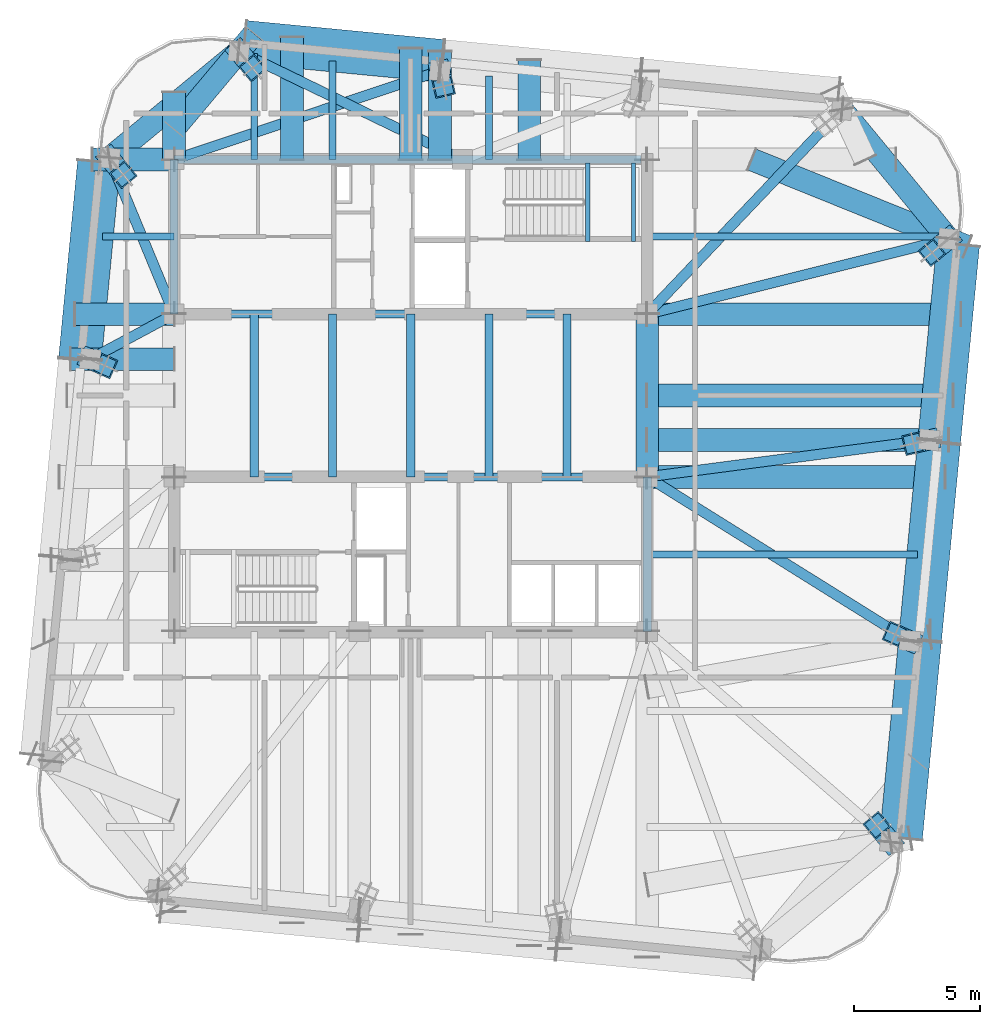
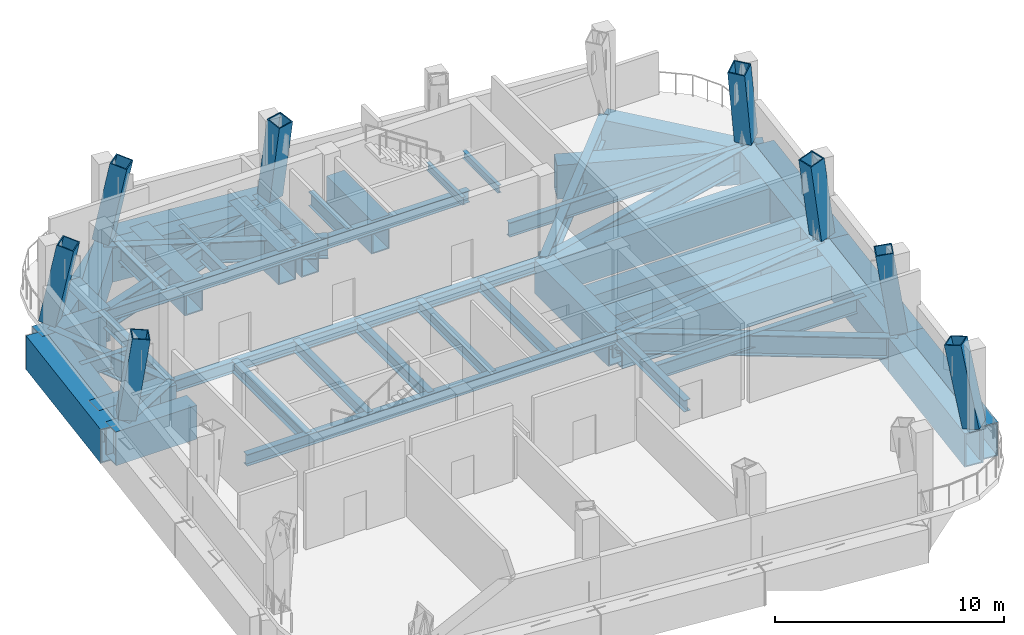
# One storey, part 2 of 9: 53 beams, 8 members.
"""IFC4 building model written with IfcOpenShell, lengths in metres."""

from ifc_helpers import new_model, si_unit, direction, frame, origin, origin_2d, place, context, subcontext, project, spatial, hollow_rectangle, i_section, extrude, material, material_profile, profile_set, type_object, element, save


model = new_model("IFC4")

# Units and contexts
model_context = context("Model", 3, precision=1e-05, world=origin(), true_north=direction((0.0, 1.0)))
body_context = subcontext(model_context, "Body", "Model", "MODEL_VIEW")
ifc_project = project(units=[si_unit("LENGTHUNIT", "METRE"), si_unit("AREAUNIT", "SQUARE_METRE"), si_unit("VOLUMEUNIT", "CUBIC_METRE"), si_unit("PLANEANGLEUNIT", "RADIAN"), si_unit("MASSUNIT", "GRAM", prefix="KILO")], contexts=[model_context])

# Site, building, storey
site_placement = place(None, origin())
site = spatial("IfcSite", under=ifc_project, at=site_placement, CompositionType="ELEMENT")
building_placement = place(site_placement, origin())
building = spatial("IfcBuilding", under=site, at=building_placement, Name="Qhalaya Broadcast Tower", CompositionType="ELEMENT")
storey_placement = place(building_placement, frame((0.0, 0.0, 284.89990234375)))
storey = spatial("IfcBuildingStorey", under=building, at=storey_placement, Name="L84", CompositionType="ELEMENT", Elevation=284.89990234375)

# Beams
ifc_material_1 = material(Name="Structural Steel ASTM A572 Grade 50", Category="steel")
ifc_material_profile_1 = material_profile(ifc_material_1, hollow_rectangle(XDim=0.89990234375, YDim=1.800048828125, WallThickness=0.06005859375, at=origin_2d()), Name="BOX 900x1800x60")
ifc_profile_set_1 = profile_set([ifc_material_profile_1], Name="Structural Steel ASTM A572 Grade 50")
beam_type_1 = type_object("IfcBeamType", Name="Block Cantilever Transfer Box Girder TG1", PredefinedType="USERDEFINED", material=ifc_profile_set_1)
beam_1_placement = place(storey_placement, frame((19.012939453125, -17.08544921875, -1.179931640625), z_axis=(0.095856036684, 0.995395208061, 0.0), x_axis=(-0.995395208061, 0.095856036684, 0.0)))
element("IfcBeam", 1, at=beam_1_placement, inside=storey, type_object=beam_type_1, Name="L84 TG1 L84-SPR-05", ObjectType="GIRDER", PredefinedType="USERDEFINED", context=body_context, shape_type="SweptSolid", body=[
    extrude(hollow_rectangle(XDim=0.89990234375, YDim=1.800048828125, WallThickness=0.06005859375, at=origin_2d()), origin(), (0.0, 0.0, 1.0), 8.0),
])
beam_2_placement = place(storey_placement, frame((19.77978515625, -9.122314453125, -1.179931640625), z_axis=(0.095822888434, 0.995398399663, 0.0), x_axis=(-0.995398399663, 0.095822888434, 0.0)))
element("IfcBeam", 2, at=beam_2_placement, inside=storey, type_object=beam_type_1, Name="L84 TG1 L84-SPR-06", ObjectType="GIRDER", PredefinedType="USERDEFINED", context=body_context, shape_type="SweptSolid", body=[
    extrude(hollow_rectangle(XDim=0.89990234375, YDim=1.800048828125, WallThickness=0.06005859375, at=origin_2d()), origin(), (0.0, 0.0, 1.0), 8.000244140625),
])
beam_3_placement = place(storey_placement, frame((20.54638671875, -1.158935546875, -1.179931640625), z_axis=(0.095856036684, 0.995395208061, 0.0), x_axis=(-0.995395208061, 0.095856036684, 0.0)))
element("IfcBeam", 3, at=beam_3_placement, inside=storey, type_object=beam_type_1, Name="L84 TG1 L84-SPR-07", ObjectType="GIRDER", PredefinedType="USERDEFINED", context=body_context, shape_type="SweptSolid", body=[
    extrude(hollow_rectangle(XDim=0.89990234375, YDim=1.800048828125, WallThickness=0.06005859375, at=origin_2d()), origin(), (0.0, 0.0, 1.0), 8.0),
])
beam_4_placement = place(storey_placement, frame((21.313232421875, 6.80419921875, -1.179931640625), z_axis=(-0.636063812645, 0.771636459898, 0.0), x_axis=(-0.771636459898, -0.636063812645, 0.0)))
element("IfcBeam", 4, at=beam_4_placement, inside=storey, type_object=beam_type_1, Name="L84 TG1 L84-SPR-08", ObjectType="GIRDER", PredefinedType="USERDEFINED", context=body_context, shape_type="SweptSolid", body=[
    extrude(hollow_rectangle(XDim=0.89990234375, YDim=1.800048828125, WallThickness=0.06005859375, at=origin_2d()), origin(), (0.0, 0.0, 1.0), 6.646728515625),
])
beam_5_placement = place(storey_placement, frame((1.158935546875, 13.466552734375, -1.179931640625), z_axis=(-0.995395208061, 0.095856036684, 0.0), x_axis=(-0.095856036684, -0.995395208061, 0.0)))
element("IfcBeam", 5, at=beam_5_placement, inside=storey, type_object=beam_type_1, Name="L84 TG1 L84-SPR-11", ObjectType="GIRDER", PredefinedType="USERDEFINED", context=body_context, shape_type="SweptSolid", body=[
    extrude(hollow_rectangle(XDim=0.89990234375, YDim=1.800048828125, WallThickness=0.06005859375, at=origin_2d()), origin(), (0.0, 0.0, 1.0), 8.0),
])
beam_6_placement = place(storey_placement, frame((-6.80419921875, 14.2333984375, -1.179931640625), z_axis=(-0.771618432262, -0.636085682117, 0.0), x_axis=(0.636085682117, -0.771618432262, 0.0)))
element("IfcBeam", 6, at=beam_6_placement, inside=storey, type_object=beam_type_1, Name="L84 TG1 L84-SPR-12", ObjectType="GIRDER", PredefinedType="USERDEFINED", context=body_context, shape_type="SweptSolid", body=[
    extrude(hollow_rectangle(XDim=0.89990234375, YDim=1.800048828125, WallThickness=0.06005859375, at=origin_2d()), origin(), (0.0, 0.0, 1.0), 6.64697265625),
])
beam_7_placement = place(storey_placement, frame((-11.93310546875, 10.00537109375, -1.179931640625), z_axis=(-0.095825799278, -0.995398119444, 0.0), x_axis=(0.995398119444, -0.095825799278, 0.0)))
element("IfcBeam", 7, at=beam_7_placement, inside=storey, type_object=beam_type_1, Name="L84 TG1 L84-SPR-13", ObjectType="GIRDER", PredefinedType="USERDEFINED", context=body_context, shape_type="SweptSolid", body=[
    extrude(hollow_rectangle(XDim=0.89990234375, YDim=1.800048828125, WallThickness=0.06005859375, at=origin_2d()), origin(), (0.0, 0.0, 1.0), 8.0),
])
beam_8_placement = place(storey_placement, frame((19.82861328125, -16.962890625, -1.179931640625), z_axis=(0.095837184179, 0.995397023367, 0.0), x_axis=(-0.995397023367, 0.095837184179, 0.0)))
element("IfcBeam", 8, at=beam_8_placement, inside=storey, type_object=beam_type_1, Name="L84 TG1 L84-TGL-05", ObjectType="GIRDER", PredefinedType="USERDEFINED", context=body_context, shape_type="SweptSolid", body=[
    extrude(hollow_rectangle(XDim=0.89990234375, YDim=1.800048828125, WallThickness=0.06005859375, at=origin_2d()), origin(), (0.0, 0.0, 1.0), 7.866455078125),
])
beam_9_placement = place(storey_placement, frame((20.58251953125, -9.132568359375, -1.179931640625), z_axis=(0.095834223619, 0.995397308407, 0.0), x_axis=(-0.995397308407, 0.095834223619, 0.0)))
element("IfcBeam", 9, at=beam_9_placement, inside=storey, type_object=beam_type_1, Name="L84 TG1 L84-TGL-06", ObjectType="GIRDER", PredefinedType="USERDEFINED", context=body_context, shape_type="SweptSolid", body=[
    extrude(hollow_rectangle(XDim=0.89990234375, YDim=1.800048828125, WallThickness=0.06005859375, at=origin_2d()), origin(), (0.0, 0.0, 1.0), 7.86669921875),
])
for number, where, z_axis, x_axis, name in (
    (10, (21.33642578125, -1.302001953125, -1.179931640625), (0.095837184179, 0.995397023367, 0.0), (-0.995397023367, 0.095837184179, 0.0), "L84 TG1 L84-TGL-07"),
    (11, (1.302001953125, 14.25634765625, -1.179931640625), (-0.995394062251, 0.095867934346, 0.0), (-0.095867934346, -0.995394062251, 0.0), "L84 TG1 L84-TGL-11"),
):
    element("IfcBeam", number, at=place(storey_placement, frame(where, z_axis=z_axis, x_axis=x_axis)), inside=storey, type_object=beam_type_1, Name=name, ObjectType="GIRDER", PredefinedType="USERDEFINED", context=body_context, shape_type="SweptSolid", body=[
        extrude(hollow_rectangle(XDim=0.89990234375, YDim=1.800048828125, WallThickness=0.06005859375, at=origin_2d()), origin(), (0.0, 0.0, 1.0), 7.866455078125),
    ])
beam_10_placement = place(storey_placement, frame((-12.74853515625, 9.883056640625, -1.179931640625), z_axis=(-0.095834223619, -0.995397308407, 0.0), x_axis=(0.995397308407, -0.095834223619, 0.0)))
element("IfcBeam", 12, at=beam_10_placement, inside=storey, type_object=beam_type_1, Name="L84 TG1 L84-TGL-13", ObjectType="GIRDER", PredefinedType="USERDEFINED", context=body_context, shape_type="SweptSolid", body=[
    extrude(hollow_rectangle(XDim=0.89990234375, YDim=1.800048828125, WallThickness=0.06005859375, at=origin_2d()), origin(), (0.0, 0.0, 1.0), 7.86669921875),
])
beam_11_placement = place(storey_placement, frame((-9.375, 9.949951171875, -1.179931640625), z_axis=(0.0, 1.0, 0.0), x_axis=(-1.0, 0.0, 0.0)))
element("IfcBeam", 13, at=beam_11_placement, inside=storey, type_object=beam_type_1, Name="L84 TG1 L84-TGINW-1", ObjectType="GIRDER", PredefinedType="USERDEFINED", context=body_context, shape_type="SweptSolid", body=[
    extrude(hollow_rectangle(XDim=0.89990234375, YDim=1.800048828125, WallThickness=0.06005859375, at=origin_2d()), origin(), (0.0, 0.0, 1.0), 2.662109375),
])
beam_12_placement = place(storey_placement, frame((0.0, 9.949951171875, -1.179931640625), z_axis=(0.0, 1.0, 0.0), x_axis=(-1.0, 0.0, 0.0)))
element("IfcBeam", 14, at=beam_12_placement, inside=storey, type_object=beam_type_1, Name="L84 TG1 L84-TGIMN-1", ObjectType="GIRDER", PredefinedType="USERDEFINED", context=body_context, shape_type="SweptSolid", body=[
    extrude(hollow_rectangle(XDim=0.89990234375, YDim=1.800048828125, WallThickness=0.06005859375, at=origin_2d()), origin(), (0.0, 0.0, 1.0), 4.3916015625),
])
beam_13_placement = place(storey_placement, frame((-4.699951171875, 9.949951171875, -1.179931640625), z_axis=(0.0, 1.0, 0.0), x_axis=(-1.0, 0.0, 0.0)))
element("IfcBeam", 15, at=beam_13_placement, inside=storey, type_object=beam_type_1, Name="L84 TG1 L84-TGIMNW-1", ObjectType="GIRDER", PredefinedType="USERDEFINED", context=body_context, shape_type="SweptSolid", body=[
    extrude(hollow_rectangle(XDim=0.89990234375, YDim=1.800048828125, WallThickness=0.06005859375, at=origin_2d()), origin(), (0.0, 0.0, 1.0), 4.84423828125),
])
beam_14_placement = place(storey_placement, frame((4.699951171875, 9.949951171875, -1.179931640625), z_axis=(0.0, 1.0, 0.0), x_axis=(-1.0, 0.0, 0.0)))
element("IfcBeam", 16, at=beam_14_placement, inside=storey, type_object=beam_type_1, Name="L84 TG1 L84-TGIMNE-1", ObjectType="GIRDER", PredefinedType="USERDEFINED", context=body_context, shape_type="SweptSolid", body=[
    extrude(hollow_rectangle(XDim=0.89990234375, YDim=1.800048828125, WallThickness=0.06005859375, at=origin_2d()), origin(), (0.0, 0.0, 1.0), 3.93896484375),
])
beam_15_placement = place(storey_placement, frame((9.375, 0.60009765625, -1.179931640625), z_axis=(1.0, 0.0, 0.0), x_axis=(0.0, 1.0, 0.0)))
element("IfcBeam", 17, at=beam_15_placement, inside=storey, type_object=beam_type_1, Name="L84 TG1 L84-TGIYE-1", ObjectType="GIRDER", PredefinedType="USERDEFINED", context=body_context, shape_type="SweptSolid", body=[
    extrude(hollow_rectangle(XDim=0.89990234375, YDim=1.800048828125, WallThickness=0.06005859375, at=origin_2d()), origin(), (0.0, 0.0, 1.0), 12.1044921875),
])
beam_16_placement = place(storey_placement, frame((9.375, -2.625, -1.179931640625), z_axis=(0.0, 1.0, 0.0), x_axis=(-1.0, 0.0, 0.0)))
element("IfcBeam", 18, at=beam_16_placement, inside=storey, type_object=beam_type_1, Name="L84 TG1 L84-TGIME-1", ObjectType="GIRDER", PredefinedType="USERDEFINED", context=body_context, shape_type="SweptSolid", body=[
    extrude(hollow_rectangle(XDim=0.89990234375, YDim=1.800048828125, WallThickness=0.06005859375, at=origin_2d()), origin(), (0.0, 0.0, 1.0), 6.449951171875),
])
beam_17_placement = place(storey_placement, frame((9.375, -2.625, -1.179931640625), z_axis=(1.0, 0.0, 0.0), x_axis=(0.0, 1.0, 0.0)))
element("IfcBeam", 19, at=beam_17_placement, inside=storey, type_object=beam_type_1, Name="L84 TG1 L84-TGIY2E-1", ObjectType="GIRDER", PredefinedType="USERDEFINED", context=body_context, shape_type="SweptSolid", body=[
    extrude(hollow_rectangle(XDim=0.89990234375, YDim=1.800048828125, WallThickness=0.06005859375, at=origin_2d()), origin(), (0.0, 0.0, 1.0), 11.793701171875),
])
beam_18_placement = place(storey_placement, frame((-13.29150390625, 3.824951171875, -1.179931640625), z_axis=(1.0, 0.0, 0.0), x_axis=(0.0, 1.0, 0.0)))
element("IfcBeam", 20, at=beam_18_placement, inside=storey, type_object=beam_type_1, Name="L84 TG1 L84-TGIY3W-1", ObjectType="GIRDER", PredefinedType="USERDEFINED", context=body_context, shape_type="SweptSolid", body=[
    extrude(hollow_rectangle(XDim=0.89990234375, YDim=1.800048828125, WallThickness=0.06005859375, at=origin_2d()), origin(), (0.0, 0.0, 1.0), 3.91650390625),
])
beam_19_placement = place(storey_placement, frame((9.375, 3.824951171875, -1.179931640625), z_axis=(1.0, 0.0, 0.0), x_axis=(0.0, 1.0, 0.0)))
element("IfcBeam", 21, at=beam_19_placement, inside=storey, type_object=beam_type_1, Name="L84 TG1 L84-TGIY3E-1", ObjectType="GIRDER", PredefinedType="USERDEFINED", context=body_context, shape_type="SweptSolid", body=[
    extrude(hollow_rectangle(XDim=0.89990234375, YDim=1.800048828125, WallThickness=0.06005859375, at=origin_2d()), origin(), (0.0, 0.0, 1.0), 12.414794921875),
])
beam_20_placement = place(storey_placement, frame((-12.604248046875, 9.949951171875, -1.179931640625), z_axis=(1.0, 0.0, 0.0), x_axis=(0.0, 1.0, 0.0)))
element("IfcBeam", 22, at=beam_20_placement, inside=storey, type_object=beam_type_1, Name="L84 TG1 L84-TGIY4W-1", ObjectType="GIRDER", PredefinedType="USERDEFINED", context=body_context, shape_type="SweptSolid", body=[
    extrude(hollow_rectangle(XDim=0.89990234375, YDim=1.800048828125, WallThickness=0.06005859375, at=origin_2d()), origin(), (0.0, 0.0, 1.0), 3.229248046875),
])
beam_21_placement = place(storey_placement, frame((9.375, -1.158935546875, -1.179931640625), z_axis=(1.0, 0.0, 0.0), x_axis=(0.0, 1.0, 0.0)))
element("IfcBeam", 23, at=beam_21_placement, inside=storey, type_object=beam_type_1, Name="L84 Spanning Transfer Box Girder 07", ObjectType="GIRDER", PredefinedType="USERDEFINED", context=body_context, shape_type="SweptSolid", body=[
    extrude(hollow_rectangle(XDim=0.89990234375, YDim=1.800048828125, WallThickness=0.06005859375, at=origin_2d()), origin(), (0.0, 0.0, 1.0), 11.934814453125),
])
beam_22_placement = place(storey_placement, frame((13.52685546875, 9.949951171875, -1.179931640625), z_axis=(0.927181339, -0.374612819602, 0.0), x_axis=(0.374612819602, 0.927181339, 0.0)))
element("IfcBeam", 24, at=beam_22_placement, inside=storey, type_object=beam_type_1, Name="L84 Spanning Transfer Box Girder 08", ObjectType="GIRDER", PredefinedType="USERDEFINED", context=body_context, shape_type="SweptSolid", body=[
    extrude(hollow_rectangle(XDim=0.89990234375, YDim=1.800048828125, WallThickness=0.06005859375, at=origin_2d()), origin(), (0.0, 0.0, 1.0), 9.1904296875),
])
beam_23_placement = place(storey_placement, frame((1.158935546875, 9.949951171875, -1.179931640625), z_axis=(0.0, 1.0, 0.0), x_axis=(-1.0, 0.0, 0.0)))
element("IfcBeam", 25, at=beam_23_placement, inside=storey, type_object=beam_type_1, Name="L84 Spanning Transfer Box Girder 11", ObjectType="GIRDER", PredefinedType="USERDEFINED", context=body_context, shape_type="SweptSolid", body=[
    extrude(hollow_rectangle(XDim=0.89990234375, YDim=1.800048828125, WallThickness=0.06005859375, at=origin_2d()), origin(), (0.0, 0.0, 1.0), 4.280029296875),
])
beam_24_placement = place(storey_placement, frame((-9.375, 11.16943359375, -1.179931640625), z_axis=(0.642781333555, 0.766049709375, 0.0), x_axis=(-0.766049709375, 0.642781333555, 0.0)))
element("IfcBeam", 26, at=beam_24_placement, inside=storey, type_object=beam_type_1, Name="L84 Spanning Transfer Box Girder 12", ObjectType="GIRDER", PredefinedType="USERDEFINED", context=body_context, shape_type="SweptSolid", body=[
    extrude(hollow_rectangle(XDim=0.89990234375, YDim=1.800048828125, WallThickness=0.06005859375, at=origin_2d()), origin(), (0.0, 0.0, 1.0), 4.921630859375),
])
beam_25_placement = place(storey_placement, frame((-13.463134765625, 2.042236328125, -1.179931640625), z_axis=(1.0, 0.0, 0.0), x_axis=(0.0, 1.0, 0.0)))
element("IfcBeam", 27, at=beam_25_placement, inside=storey, type_object=beam_type_1, Name="L84 Spanning Transfer Box Girder 14", ObjectType="GIRDER", PredefinedType="USERDEFINED", context=body_context, shape_type="SweptSolid", body=[
    extrude(hollow_rectangle(XDim=0.89990234375, YDim=1.800048828125, WallThickness=0.06005859375, at=origin_2d()), origin(), (0.0, 0.0, 1.0), 4.088134765625),
])
ifc_material_2 = material(Name="Structural Steel ASTM A992 Grade 50", Category="steel")
ifc_material_profile_2 = material_profile(ifc_material_2, i_section(OverallWidth=0.323974609375, OverallDepth=0.612060546875, WebThickness=0.0126953125, FlangeThickness=0.01904296875, at=origin_2d()), Name="W24X104")
ifc_profile_set_2 = profile_set([ifc_material_profile_2], Name="Structural Steel ASTM A992 Grade 50")
beam_type_2 = type_object("IfcBeamType", Name="Core Frame Tie Beam B04", PredefinedType="BEAM", material=ifc_profile_set_2)
beam_26_placement = place(storey_placement, frame((-9.375, 3.824951171875, -0.5859375), z_axis=(1.0, 0.0, 0.0), x_axis=(0.0, 1.0, 0.0)))
element("IfcBeam", 28, at=beam_26_placement, inside=storey, type_object=beam_type_2, Name="L84 B04 L84-CCN1", PredefinedType="BEAM", context=body_context, shape_type="SweptSolid", body=[
    extrude(i_section(OverallWidth=0.323974609375, OverallDepth=0.612060546875, WebThickness=0.0126953125, FlangeThickness=0.01904296875, at=origin_2d()), origin(), (0.0, 0.0, 1.0), 18.75),
])
beam_27_placement = place(storey_placement, frame((-9.375, 3.824951171875, -0.5859375), z_axis=(0.0, 1.0, 0.0), x_axis=(-1.0, 0.0, 0.0)))
element("IfcBeam", 29, at=beam_27_placement, inside=storey, type_object=beam_type_2, Name="L84 B04 L84-CCN2", PredefinedType="BEAM", context=body_context, shape_type="SweptSolid", body=[
    extrude(i_section(OverallWidth=0.323974609375, OverallDepth=0.612060546875, WebThickness=0.0126953125, FlangeThickness=0.01904296875, at=origin_2d()), origin(), (0.0, 0.0, 1.0), 6.125),
])
beam_28_placement = place(storey_placement, frame((-9.375, 9.949951171875, -0.5859375), z_axis=(1.0, 0.0, 0.0), x_axis=(0.0, 1.0, 0.0)))
element("IfcBeam", 30, at=beam_28_placement, inside=storey, type_object=beam_type_2, Name="L84 B04 L84-CCN3", PredefinedType="BEAM", context=body_context, shape_type="SweptSolid", body=[
    extrude(i_section(OverallWidth=0.323974609375, OverallDepth=0.612060546875, WebThickness=0.0126953125, FlangeThickness=0.01904296875, at=origin_2d()), origin(), (0.0, 0.0, 1.0), 18.4951171875),
])
beam_29_placement = place(storey_placement, frame((-9.375, -2.625, -0.5859375), z_axis=(1.0, 0.0, 0.0), x_axis=(0.0, 1.0, 0.0)))
element("IfcBeam", 31, at=beam_29_placement, inside=storey, type_object=beam_type_2, Name="L84 B04 L84-CCS1", PredefinedType="BEAM", context=body_context, shape_type="SweptSolid", body=[
    extrude(i_section(OverallWidth=0.323974609375, OverallDepth=0.612060546875, WebThickness=0.0126953125, FlangeThickness=0.01904296875, at=origin_2d()), origin(), (0.0, 0.0, 1.0), 18.75),
])
beam_30_placement = place(storey_placement, frame((9.375, -8.75, -0.5859375), z_axis=(0.0, 1.0, 0.0), x_axis=(-1.0, 0.0, 0.0)))
element("IfcBeam", 32, at=beam_30_placement, inside=storey, type_object=beam_type_2, Name="L84 B04 L84-CCS2", PredefinedType="BEAM", context=body_context, shape_type="SweptSolid", body=[
    extrude(i_section(OverallWidth=0.323974609375, OverallDepth=0.612060546875, WebThickness=0.0126953125, FlangeThickness=0.01904296875, at=origin_2d()), origin(), (0.0, 0.0, 1.0), 6.125),
])
for number, where, z_axis, x_axis, name in (
    (33, (-6.199951171875, -2.625, -0.5859375), (0.0, 1.0, 0.0), (-1.0, 0.0, 0.0), "L84 B04 L84-JC1-1"),
    (34, (-3.10009765625, -2.625, -0.5859375), (0.0, 1.0, 0.0), (-1.0, 0.0, 0.0), "L84 B04 L84-JC2-1"),
    (35, (0.0, -2.625, -0.5859375), (0.0, 1.0, 0.0), (-1.0, 0.0, 0.0), "L84 B04 L84-JC3-1"),
    (36, (3.10009765625, -2.625, -0.5859375), (0.0, 1.0, 0.0), (-1.0, 0.0, 0.0), "L84 B04 L84-JC4-1"),
    (37, (6.199951171875, -2.625, -0.5859375), (0.0, 1.0, 0.0), (-1.0, 0.0, 0.0), "L84 B04 L84-JC5-1"),
):
    element("IfcBeam", number, at=place(storey_placement, frame(where, z_axis=z_axis, x_axis=x_axis)), inside=storey, type_object=beam_type_2, Name=name, PredefinedType="BEAM", context=body_context, shape_type="SweptSolid", body=[
        extrude(i_section(OverallWidth=0.323974609375, OverallDepth=0.612060546875, WebThickness=0.0126953125, FlangeThickness=0.01904296875, at=origin_2d()), origin(), (0.0, 0.0, 1.0), 6.449951171875),
    ])
ifc_material_profile_3 = material_profile(ifc_material_2, i_section(OverallWidth=0.26708984375, OverallDepth=0.761962890625, WebThickness=0.014404296875, FlangeThickness=0.021484375, at=origin_2d()), Name="W30X116")
ifc_profile_set_3 = profile_set([ifc_material_profile_3], Name="Structural Steel ASTM A992 Grade 50")
beam_type_3 = type_object("IfcBeamType", Name="Plant & Server Floor Beam B02", PredefinedType="BEAM", material=ifc_profile_set_3)
beam_31_placement = place(storey_placement, frame((-6.199951171875, 9.949951171875, -0.660888671875), z_axis=(0.0, 1.0, 0.0), x_axis=(-1.0, 0.0, 0.0)))
element("IfcBeam", 38, at=beam_31_placement, inside=storey, type_object=beam_type_3, Name="L84 B02 L84-JNN1-1", PredefinedType="BEAM", context=body_context, shape_type="SweptSolid", body=[
    extrude(i_section(OverallWidth=0.26708984375, OverallDepth=0.761962890625, WebThickness=0.014404296875, FlangeThickness=0.021484375, at=origin_2d()), origin(), (0.0, 0.0, 1.0), 4.205078125),
])
beam_32_placement = place(storey_placement, frame((-3.10009765625, 9.949951171875, -0.660888671875), z_axis=(0.0, 1.0, 0.0), x_axis=(-1.0, 0.0, 0.0)))
element("IfcBeam", 39, at=beam_32_placement, inside=storey, type_object=beam_type_3, Name="L84 B02 L84-JNN2-1", PredefinedType="BEAM", context=body_context, shape_type="SweptSolid", body=[
    extrude(i_section(OverallWidth=0.26708984375, OverallDepth=0.761962890625, WebThickness=0.014404296875, FlangeThickness=0.021484375, at=origin_2d()), origin(), (0.0, 0.0, 1.0), 3.906494140625),
])
beam_33_placement = place(storey_placement, frame((3.10009765625, 9.949951171875, -0.660888671875), z_axis=(0.0, 1.0, 0.0), x_axis=(-1.0, 0.0, 0.0)))
element("IfcBeam", 40, at=beam_33_placement, inside=storey, type_object=beam_type_3, Name="L84 B02 L84-JNN4-1", PredefinedType="BEAM", context=body_context, shape_type="SweptSolid", body=[
    extrude(i_section(OverallWidth=0.26708984375, OverallDepth=0.761962890625, WebThickness=0.014404296875, FlangeThickness=0.021484375, at=origin_2d()), origin(), (0.0, 0.0, 1.0), 3.3095703125),
])
beam_34_placement = place(storey_placement, frame((9.375, -5.699951171875, -0.660888671875), z_axis=(1.0, 0.0, 0.0), x_axis=(0.0, 1.0, 0.0)))
element("IfcBeam", 41, at=beam_34_placement, inside=storey, type_object=beam_type_3, Name="L84 B02 L84-JWE3E-1", PredefinedType="BEAM", context=body_context, shape_type="SweptSolid", body=[
    extrude(i_section(OverallWidth=0.26708984375, OverallDepth=0.761962890625, WebThickness=0.014404296875, FlangeThickness=0.021484375, at=origin_2d()), origin(), (0.0, 0.0, 1.0), 10.714111328125),
])
beam_35_placement = place(storey_placement, frame((-12.2119140625, 6.89990234375, -0.660888671875), z_axis=(1.0, 0.0, 0.0), x_axis=(0.0, 1.0, 0.0)))
element("IfcBeam", 42, at=beam_35_placement, inside=storey, type_object=beam_type_3, Name="L84 B02 L84-JWE5W-1", PredefinedType="BEAM", context=body_context, shape_type="SweptSolid", body=[
    extrude(i_section(OverallWidth=0.26708984375, OverallDepth=0.761962890625, WebThickness=0.014404296875, FlangeThickness=0.021484375, at=origin_2d()), origin(), (0.0, 0.0, 1.0), 2.8369140625),
])
beam_36_placement = place(storey_placement, frame((9.375, 6.89990234375, -0.660888671875), z_axis=(1.0, 0.0, 0.0), x_axis=(0.0, 1.0, 0.0)))
element("IfcBeam", 43, at=beam_36_placement, inside=storey, type_object=beam_type_3, Name="L84 B02 L84-JWE5E-1", PredefinedType="BEAM", context=body_context, shape_type="SweptSolid", body=[
    extrude(i_section(OverallWidth=0.26708984375, OverallDepth=0.761962890625, WebThickness=0.014404296875, FlangeThickness=0.021484375, at=origin_2d()), origin(), (0.0, 0.0, 1.0), 11.833251953125),
])
ifc_material_profile_4 = material_profile(ifc_material_2, i_section(OverallWidth=0.404052734375, OverallDepth=1.117919921875, WebThickness=0.026123046875, FlangeThickness=0.044921875, at=origin_2d()), Name="W44X335")
ifc_profile_set_4 = profile_set([ifc_material_profile_4], Name="Structural Steel ASTM A992 Grade 50")
beam_type_4 = type_object("IfcBeamType", Name="Podium Long-Span Primary Girder PG1", PredefinedType="USERDEFINED", material=ifc_profile_set_4)
beam_37_placement = place(storey_placement, frame((9.375, -2.625, -0.8388671875), z_axis=(0.848206209022, -0.529666146715, 0.0), x_axis=(0.529666146715, 0.848206209022, 0.0)))
element("IfcBeam", 44, at=beam_37_placement, inside=storey, type_object=beam_type_4, Name="L84 Column-to-Column Moment Tie Girder 06-2", ObjectType="GIRDER", PredefinedType="USERDEFINED", context=body_context, shape_type="SweptSolid", body=[
    extrude(i_section(OverallWidth=0.404052734375, OverallDepth=1.117919921875, WebThickness=0.026123046875, FlangeThickness=0.044921875, at=origin_2d()), origin(), (0.0, 0.0, 1.0), 12.266845703125),
])
beam_38_placement = place(storey_placement, frame((9.375, -2.625, -0.8388671875), z_axis=(0.991498489645, 0.130118196388, 0.0), x_axis=(-0.130118196388, 0.991498489645, 0.0)))
element("IfcBeam", 45, at=beam_38_placement, inside=storey, type_object=beam_type_4, Name="L84 Column-to-Column Moment Tie Girder 07-1", ObjectType="GIRDER", PredefinedType="USERDEFINED", context=body_context, shape_type="SweptSolid", body=[
    extrude(i_section(OverallWidth=0.404052734375, OverallDepth=1.117919921875, WebThickness=0.026123046875, FlangeThickness=0.044921875, at=origin_2d()), origin(), (0.0, 0.0, 1.0), 11.26708984375),
])
beam_39_placement = place(storey_placement, frame((9.375, 3.824951171875, -0.8388671875), z_axis=(0.970243958425, 0.242129430554, 0.0), x_axis=(-0.242129430554, 0.970243958425, 0.0)))
element("IfcBeam", 46, at=beam_39_placement, inside=storey, type_object=beam_type_4, Name="L84 Column-to-Column Moment Tie Girder 08-1", ObjectType="GIRDER", PredefinedType="USERDEFINED", context=body_context, shape_type="SweptSolid", body=[
    extrude(i_section(OverallWidth=0.404052734375, OverallDepth=1.117919921875, WebThickness=0.026123046875, FlangeThickness=0.044921875, at=origin_2d()), origin(), (0.0, 0.0, 1.0), 12.304443359375),
])
beam_40_placement = place(storey_placement, frame((9.375, 3.824951171875, -0.8388671875), z_axis=(0.689111222644, 0.724655589109, 0.0), x_axis=(-0.724655589109, 0.689111222644, 0.0)))
element("IfcBeam", 47, at=beam_40_placement, inside=storey, type_object=beam_type_4, Name="L84 Column-to-Column Moment Tie Girder 09-1", ObjectType="GIRDER", PredefinedType="USERDEFINED", context=body_context, shape_type="SweptSolid", body=[
    extrude(i_section(OverallWidth=0.404052734375, OverallDepth=1.117919921875, WebThickness=0.026123046875, FlangeThickness=0.044921875, at=origin_2d()), origin(), (0.0, 0.0, 1.0), 11.18896484375),
])
beam_41_placement = place(storey_placement, frame((-9.375, 9.949951171875, -0.8388671875), z_axis=(0.948540305698, 0.316656420221, 0.0), x_axis=(-0.316656420221, 0.948540305698, 0.0)))
element("IfcBeam", 48, at=beam_41_placement, inside=storey, type_object=beam_type_4, Name="L84 Column-to-Column Moment Tie Girder 11-2", ObjectType="GIRDER", PredefinedType="USERDEFINED", context=body_context, shape_type="SweptSolid", body=[
    extrude(i_section(OverallWidth=0.404052734375, OverallDepth=1.117919921875, WebThickness=0.026123046875, FlangeThickness=0.044921875, at=origin_2d()), origin(), (0.0, 0.0, 1.0), 11.10546875),
])
beam_42_placement = place(storey_placement, frame((2.050048828125, 9.949951171875, -0.8388671875), z_axis=(-0.900193780737, 0.43548956029, 0.0), x_axis=(-0.43548956029, -0.900193780737, 0.0)))
element("IfcBeam", 49, at=beam_42_placement, inside=storey, type_object=beam_type_4, Name="L84 Column-to-Column Moment Tie Girder 12-2", ObjectType="GIRDER", PredefinedType="USERDEFINED", context=body_context, shape_type="SweptSolid", body=[
    extrude(i_section(OverallWidth=0.404052734375, OverallDepth=1.117919921875, WebThickness=0.026123046875, FlangeThickness=0.044921875, at=origin_2d()), origin(), (0.0, 0.0, 1.0), 9.8359375),
])
beam_43_placement = place(storey_placement, frame((-9.375, 3.824951171875, -0.8388671875), z_axis=(-0.382439908135, 0.923980365952, 0.0), x_axis=(-0.923980365952, -0.382439908135, 0.0)))
element("IfcBeam", 50, at=beam_43_placement, inside=storey, type_object=beam_type_4, Name="L84 Column-to-Column Moment Tie Girder 13-2", ObjectType="GIRDER", PredefinedType="USERDEFINED", context=body_context, shape_type="SweptSolid", body=[
    extrude(i_section(OverallWidth=0.404052734375, OverallDepth=1.117919921875, WebThickness=0.026123046875, FlangeThickness=0.044921875, at=origin_2d()), origin(), (0.0, 0.0, 1.0), 6.68896484375),
])
beam_44_placement = place(storey_placement, frame((-9.375, 3.824951171875, -0.8388671875), z_axis=(-0.881300959933, -0.472555412647, 0.0), x_axis=(0.472555412647, -0.881300959933, 0.0)))
element("IfcBeam", 51, at=beam_44_placement, inside=storey, type_object=beam_type_4, Name="L84 Column-to-Column Moment Tie Girder 14-1", ObjectType="GIRDER", PredefinedType="USERDEFINED", context=body_context, shape_type="SweptSolid", body=[
    extrude(i_section(OverallWidth=0.404052734375, OverallDepth=1.117919921875, WebThickness=0.026123046875, FlangeThickness=0.044921875, at=origin_2d()), origin(), (0.0, 0.0, 1.0), 3.7724609375),
])

# Members
ifc_material_profile_5 = material_profile(ifc_material_1, hollow_rectangle(XDim=0.800048828125, YDim=0.800048828125, WallThickness=0.050048828125, at=origin_2d()), Name="BOX 800x800x50")
ifc_profile_set_5 = profile_set([ifc_material_profile_5], Name="Structural Steel ASTM A572 Grade 50")
member_type = type_object("IfcMemberType", Name="Upper Exoskeleton Transfer Strut RK2", PredefinedType="BRACE", material=ifc_profile_set_5)
member_1_placement = place(storey_placement, frame((19.012939453125, -17.08544921875, 0.088134765625), z_axis=(-0.124215738605, 0.150676893233, 0.980748145106), x_axis=(-0.771606252643, -0.636100456597, 0.0)))
element("IfcMember", 52, at=member_1_placement, inside=storey, type_object=member_type, Name="L84 Inclined Exoskeleton Transfer Strut 05", PredefinedType="BRACE", context=body_context, shape_type="SweptSolid", body=[
    extrude(hollow_rectangle(XDim=0.800048828125, YDim=0.800048828125, WallThickness=0.050048828125, at=origin_2d()), origin(), (0.0, 0.0, 1.0), 4.345703125),
])
for number, where, z_axis, x_axis, name in (
    (53, (19.77978515625, -9.122314453125, 0.068603515625), (-0.133578573584, 0.059343183873, 0.989259900737), (-0.405995230416, -0.913875195461, 0.0), "L84 Inclined Exoskeleton Transfer Strut 06"),
    (54, (20.54638671875, -1.158935546875, 0.068603515625), (-0.142380133564, -0.032718097253, 0.989271157812), (0.223956987687, -0.974599029174, 0.0), "L84 Inclined Exoskeleton Transfer Strut 07"),
):
    element("IfcMember", number, at=place(storey_placement, frame(where, z_axis=z_axis, x_axis=x_axis)), inside=storey, type_object=member_type, Name=name, PredefinedType="BRACE", context=body_context, shape_type="SweptSolid", body=[
        extrude(hollow_rectangle(XDim=0.800048828125, YDim=0.800048828125, WallThickness=0.050048828125, at=origin_2d()), origin(), (0.0, 0.0, 1.0), 4.327880859375),
    ])
member_2_placement = place(storey_placement, frame((21.313232421875, 6.80419921875, 0.088134765625), z_axis=(-0.150676893233, -0.124215738605, 0.980748145106), x_axis=(0.636100456597, -0.771606252643, 0.0)))
element("IfcMember", 55, at=member_2_placement, inside=storey, type_object=member_type, Name="L84 Inclined Exoskeleton Transfer Strut 08", PredefinedType="BRACE", context=body_context, shape_type="SweptSolid", body=[
    extrude(hollow_rectangle(XDim=0.800048828125, YDim=0.800048828125, WallThickness=0.050048828125, at=origin_2d()), origin(), (0.0, 0.0, 1.0), 4.345703125),
])
member_3_placement = place(storey_placement, frame((1.158935546875, 13.466552734375, 0.068603515625), z_axis=(0.032717834421, -0.142435399851, 0.989263210769), x_axis=(0.974618385403, 0.223872738033, 0.0)))
element("IfcMember", 56, at=member_3_placement, inside=storey, type_object=member_type, Name="L84 Inclined Exoskeleton Transfer Strut 11", PredefinedType="BRACE", context=body_context, shape_type="SweptSolid", body=[
    extrude(hollow_rectangle(XDim=0.800048828125, YDim=0.800048828125, WallThickness=0.050048828125, at=origin_2d()), origin(), (0.0, 0.0, 1.0), 4.327880859375),
])
for number, where, z_axis, x_axis, name in (
    (57, (-6.80419921875, 14.2333984375, 0.088134765625), (0.124215738605, -0.150676893233, 0.980748145106), (0.771606252643, 0.636100456597, 0.0), "L84 Inclined Exoskeleton Transfer Strut 12"),
    (58, (-11.93310546875, 10.00537109375, 0.088134765625), (0.124215738605, -0.150676893233, 0.980748145106), (0.771606252643, 0.636100456597, 0.0), "L84 Inclined Exoskeleton Transfer Strut 13"),
):
    element("IfcMember", number, at=place(storey_placement, frame(where, z_axis=z_axis, x_axis=x_axis)), inside=storey, type_object=member_type, Name=name, PredefinedType="BRACE", context=body_context, shape_type="SweptSolid", body=[
        extrude(hollow_rectangle(XDim=0.800048828125, YDim=0.800048828125, WallThickness=0.050048828125, at=origin_2d()), origin(), (0.0, 0.0, 1.0), 4.345703125),
    ])
member_4_placement = place(storey_placement, frame((-12.69970703125, 2.042236328125, 0.068603515625), z_axis=(0.133579020534, -0.059286972374, 0.989263210769), x_axis=(0.405672840815, 0.914018351142, 0.0)))
element("IfcMember", 59, at=member_4_placement, inside=storey, type_object=member_type, Name="L84 Inclined Exoskeleton Transfer Strut 14", PredefinedType="BRACE", context=body_context, shape_type="SweptSolid", body=[
    extrude(hollow_rectangle(XDim=0.800048828125, YDim=0.800048828125, WallThickness=0.050048828125, at=origin_2d()), origin(), (0.0, 0.0, 1.0), 4.327880859375),
])

# Beams
ifc_material_profile_6 = material_profile(ifc_material_2, i_section(OverallWidth=0.177978515625, OverallDepth=0.406005859375, WebThickness=0.0078125, FlangeThickness=0.0126953125, at=origin_2d()), Name="W16X40")
ifc_profile_set_6 = profile_set([ifc_material_profile_6], Name="Structural Steel ASTM A992 Grade 50")
beam_type_5 = type_object("IfcBeamType", Name="Upper Perimeter Spandrel Beam SP2", PredefinedType="SPANDREL", material=ifc_profile_set_6)
for number, where, z_axis, x_axis, name in (
    (60, (7.014892578125, 6.699951171875, 1.772216796875), (0.0, 1.0, 0.0), (-1.0, 0.0, 0.0), "L84 ST-1 Half-Landing Bearer Beam 1"),
    (61, (8.830078125, 6.699951171875, 1.772216796875), (0.0, 1.0, 0.0), (-1.0, 0.0, 0.0), "L84 ST-1 Half-Landing Bearer Beam 2"),
):
    element("IfcBeam", number, at=place(storey_placement, frame(where, z_axis=z_axis, x_axis=x_axis)), inside=storey, type_object=beam_type_5, Name=name, PredefinedType="SPANDREL", context=body_context, shape_type="SweptSolid", body=[
        extrude(i_section(OverallWidth=0.177978515625, OverallDepth=0.406005859375, WebThickness=0.0078125, FlangeThickness=0.0126953125, at=origin_2d()), origin(), (0.0, 0.0, 1.0), 3.1201171875),
    ])

save(model, "model.ifc")
